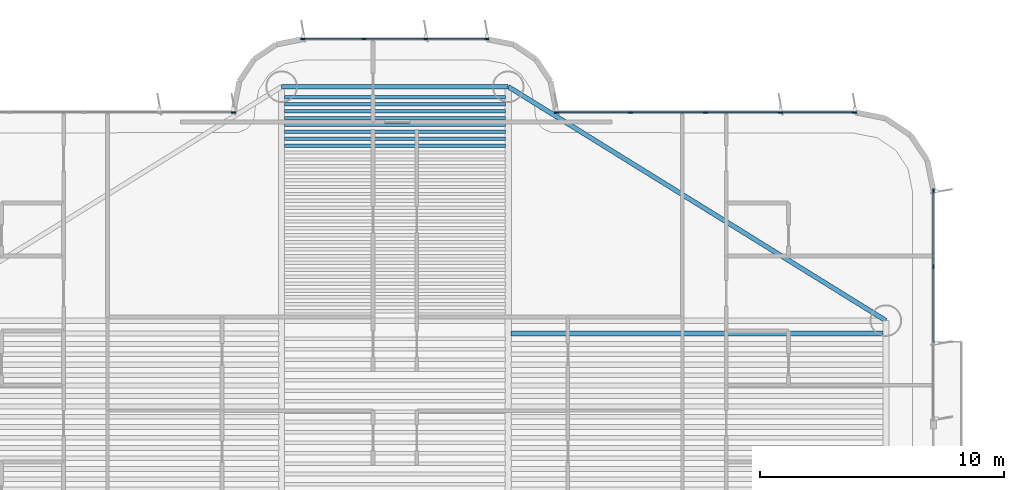
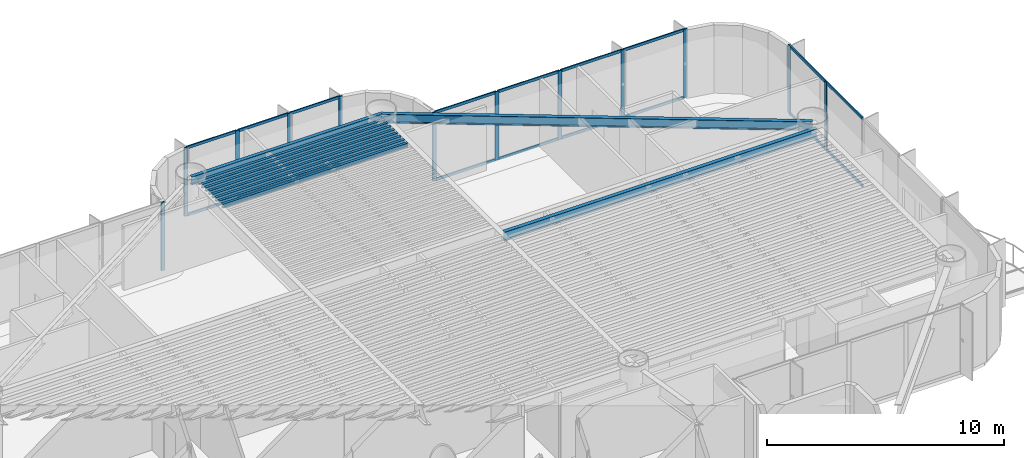
# One storey, part 7 of 17: 30 members, 11 beams, 4 elements without a shape of their own.
"""IFC4 building model written with IfcOpenShell, lengths in metres."""

from ifc_helpers import new_model, si_unit, direction, frame, origin, origin_2d, place, context, subcontext, project, spatial, rectangle, i_section, extrude, source, transform, mapped, material, layer, layer_set, material_profile, profile_set, type_object, element, aggregate, save


model = new_model("IFC4")

# Units and contexts
model_context = context("Model", 3, precision=1e-05, world=origin(), true_north=direction((0.0, 1.0)))
body_context = subcontext(model_context, "Body", "Model", "MODEL_VIEW")
ifc_project = project(units=[si_unit("LENGTHUNIT", "METRE"), si_unit("AREAUNIT", "SQUARE_METRE"), si_unit("VOLUMEUNIT", "CUBIC_METRE"), si_unit("PLANEANGLEUNIT", "RADIAN"), si_unit("MASSUNIT", "GRAM", prefix="KILO")], contexts=[model_context])

# Site, building, storey
site_placement = place(None, origin())
site = spatial("IfcSite", under=ifc_project, at=site_placement, CompositionType="ELEMENT")
building_placement = place(site_placement, origin())
building = spatial("IfcBuilding", under=site, at=building_placement, Name="Brelvock Crest Care Tower", CompositionType="ELEMENT")
storey_placement = place(building_placement, frame((0.0, 0.0, 127.6201171875)))
storey = spatial("IfcBuildingStorey", under=building, at=storey_placement, Name="L32", CompositionType="ELEMENT", Elevation=127.6201171875)

# Beams
ifc_material_1 = material(Name="Steel Grade 350", Category="steel")
ifc_material_profile_1 = material_profile(ifc_material_1, i_section(OverallWidth=0.177978515625, OverallDepth=0.406005859375, WebThickness=0.0078125, FlangeThickness=0.0126953125, FilletRadius=0.011474609375, at=origin_2d()), Name="410UB59.7")
ifc_profile_set_1 = profile_set([ifc_material_profile_1], Name="Steel Grade 350")
beam_type_1 = type_object("IfcBeamType", Name="BM-SP1", PredefinedType="SPANDREL", material=ifc_profile_set_1)
shared_shape_1 = source(origin(), body_context, "Body", "SweptSolid", [
    extrude(i_section(OverallWidth=0.177978515625, OverallDepth=0.406005859375, WebThickness=0.0078125, FlangeThickness=0.0126953125, FilletRadius=0.011474609375, at=origin_2d()), origin(), (0.0, 0.0, 1.0), 9.2998046875),
])
beam_1_placement = place(storey_placement, frame((31.35009765625, 48.449951171875, 3.326904296875), z_axis=(1.0, 0.0, 0.0), x_axis=(0.0, 1.0, 0.0)))
element("IfcBeam", 1, at=beam_1_placement, inside=storey, type_object=beam_type_1, Name="BM-TWR-L32-08", PredefinedType="SPANDREL", context=body_context, shape_type="MappedRepresentation", body=[
    mapped(shared_shape_1, transform((0.0, 0.0, 0.0), x_axis=(1.0, 0.0, 0.0), y_axis=(0.0, 1.0, 0.0), z_axis=(0.0, 0.0, 1.0), scale=1.0)),
])
ifc_material_profile_2 = material_profile(ifc_material_1, i_section(OverallWidth=0.134033203125, OverallDepth=0.20703125, WebThickness=0.00634765625, FlangeThickness=0.009521484375, FilletRadius=0.0087890625, at=origin_2d()), Name="200UB29.8")
ifc_profile_set_2 = profile_set([ifc_material_profile_2], Name="Steel Grade 350")
beam_type_2 = type_object("IfcBeamType", Name="BM-J4", PredefinedType="JOIST", material=ifc_profile_set_2)
shared_shape_2 = source(origin(), body_context, "Body", "SweptSolid", [
    extrude(i_section(OverallWidth=0.134033203125, OverallDepth=0.20703125, WebThickness=0.00634765625, FlangeThickness=0.009521484375, FilletRadius=0.0087890625, at=origin_2d()), origin(), (0.0, 0.0, 1.0), 9.06982421875),
])
for number, where, z_axis, x_axis, name in (
    (2, (31.465087890625, 46.03076171875, 3.42626953125), (1.0, 0.0, 0.0), (0.0, 1.0, 0.0), "BM-JN-L32-25"),
    (3, (31.465087890625, 46.31396484375, 3.42626953125), (1.0, 0.0, 0.0), (0.0, 1.0, 0.0), "BM-JN-L32-26"),
    (4, (31.465087890625, 46.59716796875, 3.42626953125), (1.0, 0.0, 0.0), (0.0, 1.0, 0.0), "BM-JN-L32-27"),
    (5, (31.465087890625, 46.88037109375, 3.42626953125), (1.0, 0.0, 0.0), (0.0, 1.0, 0.0), "BM-JN-L32-28"),
    (6, (31.465087890625, 47.16357421875, 3.42626953125), (1.0, 0.0, 0.0), (0.0, 1.0, 0.0), "BM-JN-L32-29"),
    (7, (31.465087890625, 47.44677734375, 3.42626953125), (1.0, 0.0, 0.0), (0.0, 1.0, 0.0), "BM-JN-L32-30"),
    (8, (31.465087890625, 47.72998046875, 3.42626953125), (1.0, 0.0, 0.0), (0.0, 1.0, 0.0), "BM-JN-L32-31"),
    (9, (31.465087890625, 48.01318359375, 3.42626953125), (1.0, 0.0, 0.0), (0.0, 1.0, 0.0), "BM-JN-L32-32"),
):
    element("IfcBeam", number, at=place(storey_placement, frame(where, z_axis=z_axis, x_axis=x_axis)), inside=storey, type_object=beam_type_2, Name=name, PredefinedType="JOIST", context=body_context, shape_type="MappedRepresentation", body=[
        mapped(shared_shape_2, transform((0.0, 0.0, 0.0), x_axis=(1.0, 0.0, 0.0), y_axis=(0.0, 1.0, 0.0), z_axis=(0.0, 0.0, 1.0), scale=1.0)),
    ])
ifc_material_profile_3 = material_profile(ifc_material_1, i_section(OverallWidth=0.19091796875, OverallDepth=0.4599609375, WebThickness=0.010009765625, FlangeThickness=0.01611328125, FilletRadius=0.011474609375, at=origin_2d()), Name="460UB82.1")
ifc_profile_set_3 = profile_set([ifc_material_profile_3], Name="Steel Grade 350")
beam_type_3 = type_object("IfcBeamType", Name="BM-G3", PredefinedType="BEAM", material=ifc_profile_set_3)
shared_shape_3 = source(origin(), body_context, "Body", "SweptSolid", [
    extrude(i_section(OverallWidth=0.19091796875, OverallDepth=0.4599609375, WebThickness=0.010009765625, FlangeThickness=0.01611328125, FilletRadius=0.011474609375, at=origin_2d()), origin(), (0.0, 0.0, 1.0), 15.27001953125),
])
beam_2_placement = place(storey_placement, frame((40.764892578125, 38.317626953125, 3.2998046875), z_axis=(1.0, 0.0, 0.0), x_axis=(0.0, 1.0, 0.0)))
element("IfcBeam", 10, at=beam_2_placement, inside=storey, type_object=beam_type_3, Name="BM-JE-L32-26", PredefinedType="BEAM", context=body_context, shape_type="MappedRepresentation", body=[
    mapped(shared_shape_3, transform((0.0, 0.0, 0.0), x_axis=(1.0, 0.0, 0.0), y_axis=(0.0, 1.0, 0.0), z_axis=(0.0, 0.0, 1.0), scale=1.0)),
])
ifc_material_profile_4 = material_profile(ifc_material_1, i_section(OverallWidth=0.19091796875, OverallDepth=0.4599609375, WebThickness=0.010009765625, FlangeThickness=0.01611328125, FilletRadius=0.011474609375, at=origin_2d()), Name="460UB82.1")
ifc_profile_set_4 = profile_set([ifc_material_profile_4], Name="Steel Grade 350")
beam_type_4 = type_object("IfcBeamType", Name="BM-SP2", PredefinedType="SPANDREL", material=ifc_profile_set_4)
shared_shape_4 = source(origin(), body_context, "Body", "SweptSolid", [
    extrude(i_section(OverallWidth=0.19091796875, OverallDepth=0.4599609375, WebThickness=0.010009765625, FlangeThickness=0.01611328125, FilletRadius=0.011474609375, at=origin_2d()), origin(), (0.0, 0.0, 1.0), 18.23193359375),
])
beam_3_placement = place(storey_placement, frame((40.64990234375, 48.449951171875, 3.2998046875), z_axis=(0.85015183248, -0.526537616635, 0.0), x_axis=(0.526537616635, 0.85015183248, 0.0)))
element("IfcBeam", 11, at=beam_3_placement, inside=storey, type_object=beam_type_4, Name="BM-TWR-L32-07", PredefinedType="SPANDREL", context=body_context, shape_type="MappedRepresentation", body=[
    mapped(shared_shape_4, transform((0.0, 0.0, 0.0), x_axis=(1.0, 0.0, 0.0), y_axis=(0.0, 1.0, 0.0), z_axis=(0.0, 0.0, 1.0), scale=1.0)),
])

# Curtain wall, members
ifc_material_2 = material(Name="Dark Glass Double Glazed Low-E", Category="glass")
ifc_layer = layer(ifc_material_2, 0.2099609375, Name="CWS-3")
ifc_layer_set = layer_set([ifc_layer], Name="Dark Glass Double Glazed Low-E")
curtain_wall_type = type_object("IfcCurtainWallType", Name="CWS-3", PredefinedType="NOTDEFINED", material=ifc_layer_set)
curtain_wall_1_placement = place(storey_placement, origin())
curtain_wall_1 = element("IfcCurtainWall", 12, at=curtain_wall_1_placement, inside=storey, type_object=curtain_wall_type, Name="L32 Curtain Wall E34", PredefinedType="NOTDEFINED")
ifc_material_3 = material(Name="Aluminium 6063-T6", Category="aluminium")
ifc_material_profile_5 = material_profile(ifc_material_3, rectangle(XDim=0.06005859375, YDim=0.139892578125, at=origin_2d()), Name="ALU60x140")
ifc_profile_set_5 = profile_set([ifc_material_profile_5], Name="Aluminium 6063-T6")
member_type_1 = type_object("IfcMemberType", Name="CWT-2", PredefinedType="USERDEFINED", material=ifc_profile_set_5)
shared_shape_5 = source(origin(), body_context, "Body", "SweptSolid", [
    extrude(rectangle(XDim=0.06005859375, YDim=0.139892578125, at=origin_2d()), origin(), (0.0, 0.0, 1.0), 2.985107421875),
])
member_1_placement = place(storey_placement, frame((42.659912109375, 47.39990234375, 0.02978515625), z_axis=(1.0, 0.0, 0.0), x_axis=(0.0, 1.0, 0.0)))
member_1 = element("IfcMember", 13, at=member_1_placement, type_object=member_type_1, Name="CW-3 transom 1.1", ObjectType="TRANSOM", PredefinedType="USERDEFINED", context=body_context, shape_type="MappedRepresentation", body=[
    mapped(shared_shape_5, transform((0.0, 0.0, 0.0), x_axis=(1.0, 0.0, 0.0), y_axis=(0.0, 1.0, 0.0), z_axis=(0.0, 0.0, 1.0), scale=1.0)),
])
member_2_placement = place(storey_placement, frame((42.659912109375, 47.39990234375, 3.5), z_axis=(1.0, 0.0, 0.0), x_axis=(0.0, 1.0, 0.0)))
member_2 = element("IfcMember", 14, at=member_2_placement, type_object=member_type_1, Name="CW-3 transom 1.2", ObjectType="TRANSOM", PredefinedType="USERDEFINED", context=body_context, shape_type="MappedRepresentation", body=[
    mapped(shared_shape_5, transform((0.0, 0.0, 0.0), x_axis=(1.0, 0.0, 0.0), y_axis=(0.0, 1.0, 0.0), z_axis=(0.0, 0.0, 1.0), scale=1.0)),
])
member_3_placement = place(storey_placement, frame((51.85498046875, 47.39990234375, 0.02978515625), z_axis=(1.0, 0.0, 0.0), x_axis=(0.0, 1.0, 0.0)))
member_3 = element("IfcMember", 15, at=member_3_placement, type_object=member_type_1, Name="CW-3 transom 4.1", ObjectType="TRANSOM", PredefinedType="USERDEFINED", context=body_context, shape_type="MappedRepresentation", body=[
    mapped(shared_shape_5, transform((0.0, 0.0, 0.0), x_axis=(1.0, 0.0, 0.0), y_axis=(0.0, 1.0, 0.0), z_axis=(0.0, 0.0, 1.0), scale=1.0)),
])
member_4_placement = place(storey_placement, frame((51.85498046875, 47.39990234375, 3.5), z_axis=(1.0, 0.0, 0.0), x_axis=(0.0, 1.0, 0.0)))
member_4 = element("IfcMember", 16, at=member_4_placement, type_object=member_type_1, Name="CW-3 transom 4.2", ObjectType="TRANSOM", PredefinedType="USERDEFINED", context=body_context, shape_type="MappedRepresentation", body=[
    mapped(shared_shape_5, transform((0.0, 0.0, 0.0), x_axis=(1.0, 0.0, 0.0), y_axis=(0.0, 1.0, 0.0), z_axis=(0.0, 0.0, 1.0), scale=1.0)),
])
shared_shape_6 = source(origin(), body_context, "Body", "SweptSolid", [
    extrude(rectangle(XDim=0.06005859375, YDim=0.139892578125, at=origin_2d()), origin(), (0.0, 0.0, 1.0), 3.014892578125),
])
member_5_placement = place(storey_placement, frame((45.705078125, 47.39990234375, 0.02978515625), z_axis=(1.0, 0.0, 0.0), x_axis=(0.0, 1.0, 0.0)))
member_5 = element("IfcMember", 17, at=member_5_placement, type_object=member_type_1, Name="CW-3 transom 2.1", ObjectType="TRANSOM", PredefinedType="USERDEFINED", context=body_context, shape_type="MappedRepresentation", body=[
    mapped(shared_shape_6, transform((0.0, 0.0, 0.0), x_axis=(1.0, 0.0, 0.0), y_axis=(0.0, 1.0, 0.0), z_axis=(0.0, 0.0, 1.0), scale=1.0)),
])
member_6_placement = place(storey_placement, frame((45.705078125, 47.39990234375, 3.5), z_axis=(1.0, 0.0, 0.0), x_axis=(0.0, 1.0, 0.0)))
member_6 = element("IfcMember", 18, at=member_6_placement, type_object=member_type_1, Name="CW-3 transom 2.2", ObjectType="TRANSOM", PredefinedType="USERDEFINED", context=body_context, shape_type="MappedRepresentation", body=[
    mapped(shared_shape_6, transform((0.0, 0.0, 0.0), x_axis=(1.0, 0.0, 0.0), y_axis=(0.0, 1.0, 0.0), z_axis=(0.0, 0.0, 1.0), scale=1.0)),
])
member_7_placement = place(storey_placement, frame((48.780029296875, 47.39990234375, 0.02978515625), z_axis=(1.0, 0.0, 0.0), x_axis=(0.0, 1.0, 0.0)))
member_7 = element("IfcMember", 19, at=member_7_placement, type_object=member_type_1, Name="CW-3 transom 3.1", ObjectType="TRANSOM", PredefinedType="USERDEFINED", context=body_context, shape_type="MappedRepresentation", body=[
    mapped(shared_shape_6, transform((0.0, 0.0, 0.0), x_axis=(1.0, 0.0, 0.0), y_axis=(0.0, 1.0, 0.0), z_axis=(0.0, 0.0, 1.0), scale=1.0)),
])
member_8_placement = place(storey_placement, frame((48.780029296875, 47.39990234375, 3.5), z_axis=(1.0, 0.0, 0.0), x_axis=(0.0, 1.0, 0.0)))
member_8 = element("IfcMember", 20, at=member_8_placement, type_object=member_type_1, Name="CW-3 transom 3.2", ObjectType="TRANSOM", PredefinedType="USERDEFINED", context=body_context, shape_type="MappedRepresentation", body=[
    mapped(shared_shape_6, transform((0.0, 0.0, 0.0), x_axis=(1.0, 0.0, 0.0), y_axis=(0.0, 1.0, 0.0), z_axis=(0.0, 0.0, 1.0), scale=1.0)),
])

curtain_wall_2_placement = place(storey_placement, origin())
curtain_wall_2 = element("IfcCurtainWall", 21, at=curtain_wall_2_placement, inside=storey, type_object=curtain_wall_type, Name="L32 Curtain Wall E28", PredefinedType="NOTDEFINED")
shared_shape_7 = source(origin(), body_context, "Body", "SweptSolid", [
    extrude(rectangle(XDim=0.06005859375, YDim=0.139892578125, at=origin_2d()), origin(), (0.0, 0.0, 1.0), 2.443359375),
])
member_9_placement = place(storey_placement, frame((32.260009765625, 50.39990234375, 0.02978515625), z_axis=(1.0, 0.0, 0.0), x_axis=(0.0, 1.0, 0.0)))
member_9 = element("IfcMember", 22, at=member_9_placement, type_object=member_type_1, Name="CW-3 transom 1.1", ObjectType="TRANSOM", PredefinedType="USERDEFINED", context=body_context, shape_type="MappedRepresentation", body=[
    mapped(shared_shape_7, transform((0.0, 0.0, 0.0), x_axis=(1.0, 0.0, 0.0), y_axis=(0.0, 1.0, 0.0), z_axis=(0.0, 0.0, 1.0), scale=1.0)),
])
member_10_placement = place(storey_placement, frame((32.260009765625, 50.39990234375, 3.5), z_axis=(1.0, 0.0, 0.0), x_axis=(0.0, 1.0, 0.0)))
member_10 = element("IfcMember", 23, at=member_10_placement, type_object=member_type_1, Name="CW-3 transom 1.2", ObjectType="TRANSOM", PredefinedType="USERDEFINED", context=body_context, shape_type="MappedRepresentation", body=[
    mapped(shared_shape_7, transform((0.0, 0.0, 0.0), x_axis=(1.0, 0.0, 0.0), y_axis=(0.0, 1.0, 0.0), z_axis=(0.0, 0.0, 1.0), scale=1.0)),
])
member_11_placement = place(storey_placement, frame((37.296630859375, 50.39990234375, 0.02978515625), z_axis=(1.0, 0.0, 0.0), x_axis=(0.0, 1.0, 0.0)))
member_11 = element("IfcMember", 24, at=member_11_placement, type_object=member_type_1, Name="CW-3 transom 3.1", ObjectType="TRANSOM", PredefinedType="USERDEFINED", context=body_context, shape_type="MappedRepresentation", body=[
    mapped(shared_shape_7, transform((0.0, 0.0, 0.0), x_axis=(1.0, 0.0, 0.0), y_axis=(0.0, 1.0, 0.0), z_axis=(0.0, 0.0, 1.0), scale=1.0)),
])
member_12_placement = place(storey_placement, frame((37.296630859375, 50.39990234375, 3.5), z_axis=(1.0, 0.0, 0.0), x_axis=(0.0, 1.0, 0.0)))
member_12 = element("IfcMember", 25, at=member_12_placement, type_object=member_type_1, Name="CW-3 transom 3.2", ObjectType="TRANSOM", PredefinedType="USERDEFINED", context=body_context, shape_type="MappedRepresentation", body=[
    mapped(shared_shape_7, transform((0.0, 0.0, 0.0), x_axis=(1.0, 0.0, 0.0), y_axis=(0.0, 1.0, 0.0), z_axis=(0.0, 0.0, 1.0), scale=1.0)),
])
shared_shape_8 = source(origin(), body_context, "Body", "SweptSolid", [
    extrude(rectangle(XDim=0.06005859375, YDim=0.139892578125, at=origin_2d()), origin(), (0.0, 0.0, 1.0), 2.47314453125),
])
member_13_placement = place(storey_placement, frame((34.763427734375, 50.39990234375, 0.02978515625), z_axis=(1.0, 0.0, 0.0), x_axis=(0.0, 1.0, 0.0)))
member_13 = element("IfcMember", 26, at=member_13_placement, type_object=member_type_1, Name="CW-3 transom 2.1", ObjectType="TRANSOM", PredefinedType="USERDEFINED", context=body_context, shape_type="MappedRepresentation", body=[
    mapped(shared_shape_8, transform((0.0, 0.0, 0.0), x_axis=(1.0, 0.0, 0.0), y_axis=(0.0, 1.0, 0.0), z_axis=(0.0, 0.0, 1.0), scale=1.0)),
])
member_14_placement = place(storey_placement, frame((34.763427734375, 50.39990234375, 3.5), z_axis=(1.0, 0.0, 0.0), x_axis=(0.0, 1.0, 0.0)))
member_14 = element("IfcMember", 27, at=member_14_placement, type_object=member_type_1, Name="CW-3 transom 2.2", ObjectType="TRANSOM", PredefinedType="USERDEFINED", context=body_context, shape_type="MappedRepresentation", body=[
    mapped(shared_shape_8, transform((0.0, 0.0, 0.0), x_axis=(1.0, 0.0, 0.0), y_axis=(0.0, 1.0, 0.0), z_axis=(0.0, 0.0, 1.0), scale=1.0)),
])

# Curtain wall, member
curtain_wall_3_placement = place(storey_placement, origin())
curtain_wall_3 = element("IfcCurtainWall", 28, at=curtain_wall_3_placement, inside=storey, type_object=curtain_wall_type, Name="L32 Curtain Wall E22", PredefinedType="NOTDEFINED")
ifc_material_profile_6 = material_profile(ifc_material_3, rectangle(XDim=0.06005859375, YDim=0.179931640625, at=origin_2d()), Name="ALU60x180")
ifc_profile_set_6 = profile_set([ifc_material_profile_6], Name="Aluminium 6063-T6")
member_type_2 = type_object("IfcMemberType", Name="CWM-2", PredefinedType="MULLION", material=ifc_profile_set_6)
shared_shape_9 = source(origin(), body_context, "Body", "SweptSolid", [
    extrude(rectangle(XDim=0.06005859375, YDim=0.179931640625, at=origin_2d()), origin(), (0.0, 0.0, 1.0), 3.52978515625),
])
member_15_placement = place(storey_placement, frame((29.3701171875, 47.39990234375, 0.0), z_axis=(0.0, 0.0, 1.0), x_axis=(0.0, 1.0, 0.0)))
member_15 = element("IfcMember", 29, at=member_15_placement, type_object=member_type_2, Name="CW-3 mullion 5", PredefinedType="MULLION", context=body_context, shape_type="MappedRepresentation", body=[
    mapped(shared_shape_9, transform((0.0, 0.0, 0.0), x_axis=(1.0, 0.0, 0.0), y_axis=(0.0, 1.0, 0.0), z_axis=(0.0, 0.0, 1.0), scale=1.0)),
])
aggregate(curtain_wall_3, [member_15])

# Member
member_16_placement = place(storey_placement, frame((32.22998046875, 50.39990234375, 0.0), z_axis=(0.0, 0.0, 1.0), x_axis=(0.0, 1.0, 0.0)))
member_16 = element("IfcMember", 30, at=member_16_placement, type_object=member_type_2, Name="CW-3 mullion 1", PredefinedType="MULLION", context=body_context, shape_type="MappedRepresentation", body=[
    mapped(shared_shape_9, transform((0.0, 0.0, 0.0), x_axis=(1.0, 0.0, 0.0), y_axis=(0.0, 1.0, 0.0), z_axis=(0.0, 0.0, 1.0), scale=1.0)),
])

member_17_placement = place(storey_placement, frame((34.7333984375, 50.39990234375, 0.0), z_axis=(0.0, 0.0, 1.0), x_axis=(0.0, 1.0, 0.0)))
member_17 = element("IfcMember", 31, at=member_17_placement, type_object=member_type_2, Name="CW-3 mullion 2", PredefinedType="MULLION", context=body_context, shape_type="MappedRepresentation", body=[
    mapped(shared_shape_9, transform((0.0, 0.0, 0.0), x_axis=(1.0, 0.0, 0.0), y_axis=(0.0, 1.0, 0.0), z_axis=(0.0, 0.0, 1.0), scale=1.0)),
])

member_18_placement = place(storey_placement, frame((37.2666015625, 50.39990234375, 0.0), z_axis=(0.0, 0.0, 1.0), x_axis=(0.0, 1.0, 0.0)))
member_18 = element("IfcMember", 32, at=member_18_placement, type_object=member_type_2, Name="CW-3 mullion 3", PredefinedType="MULLION", context=body_context, shape_type="MappedRepresentation", body=[
    mapped(shared_shape_9, transform((0.0, 0.0, 0.0), x_axis=(1.0, 0.0, 0.0), y_axis=(0.0, 1.0, 0.0), z_axis=(0.0, 0.0, 1.0), scale=1.0)),
])

member_19_placement = place(storey_placement, frame((39.77001953125, 50.39990234375, 0.0), z_axis=(0.0, 0.0, 1.0), x_axis=(0.0, 1.0, 0.0)))
member_19 = element("IfcMember", 33, at=member_19_placement, type_object=member_type_2, Name="CW-3 mullion 4", PredefinedType="MULLION", context=body_context, shape_type="MappedRepresentation", body=[
    mapped(shared_shape_9, transform((0.0, 0.0, 0.0), x_axis=(1.0, 0.0, 0.0), y_axis=(0.0, 1.0, 0.0), z_axis=(0.0, 0.0, 1.0), scale=1.0)),
])

aggregate(curtain_wall_2, [member_16, member_17, member_18, member_19, member_9, member_10, member_13, member_14, member_11, member_12])

member_20_placement = place(storey_placement, frame((42.6298828125, 47.39990234375, 0.0), z_axis=(0.0, 0.0, 1.0), x_axis=(0.0, 1.0, 0.0)))
member_20 = element("IfcMember", 34, at=member_20_placement, type_object=member_type_2, Name="CW-3 mullion 1", PredefinedType="MULLION", context=body_context, shape_type="MappedRepresentation", body=[
    mapped(shared_shape_9, transform((0.0, 0.0, 0.0), x_axis=(1.0, 0.0, 0.0), y_axis=(0.0, 1.0, 0.0), z_axis=(0.0, 0.0, 1.0), scale=1.0)),
])

member_21_placement = place(storey_placement, frame((45.675048828125, 47.39990234375, 0.0), z_axis=(0.0, 0.0, 1.0), x_axis=(0.0, 1.0, 0.0)))
member_21 = element("IfcMember", 35, at=member_21_placement, type_object=member_type_2, Name="CW-3 mullion 2", PredefinedType="MULLION", context=body_context, shape_type="MappedRepresentation", body=[
    mapped(shared_shape_9, transform((0.0, 0.0, 0.0), x_axis=(1.0, 0.0, 0.0), y_axis=(0.0, 1.0, 0.0), z_axis=(0.0, 0.0, 1.0), scale=1.0)),
])

member_22_placement = place(storey_placement, frame((48.75, 47.39990234375, 0.0), z_axis=(0.0, 0.0, 1.0), x_axis=(0.0, 1.0, 0.0)))
member_22 = element("IfcMember", 36, at=member_22_placement, type_object=member_type_2, Name="CW-3 mullion 3", PredefinedType="MULLION", context=body_context, shape_type="MappedRepresentation", body=[
    mapped(shared_shape_9, transform((0.0, 0.0, 0.0), x_axis=(1.0, 0.0, 0.0), y_axis=(0.0, 1.0, 0.0), z_axis=(0.0, 0.0, 1.0), scale=1.0)),
])

member_23_placement = place(storey_placement, frame((51.824951171875, 47.39990234375, 0.0), z_axis=(0.0, 0.0, 1.0), x_axis=(0.0, 1.0, 0.0)))
member_23 = element("IfcMember", 37, at=member_23_placement, type_object=member_type_2, Name="CW-3 mullion 4", PredefinedType="MULLION", context=body_context, shape_type="MappedRepresentation", body=[
    mapped(shared_shape_9, transform((0.0, 0.0, 0.0), x_axis=(1.0, 0.0, 0.0), y_axis=(0.0, 1.0, 0.0), z_axis=(0.0, 0.0, 1.0), scale=1.0)),
])

member_24_placement = place(storey_placement, frame((54.8701171875, 47.39990234375, 0.0), z_axis=(0.0, 0.0, 1.0), x_axis=(0.0, 1.0, 0.0)))
member_24 = element("IfcMember", 38, at=member_24_placement, type_object=member_type_2, Name="CW-3 mullion 5", PredefinedType="MULLION", context=body_context, shape_type="MappedRepresentation", body=[
    mapped(shared_shape_9, transform((0.0, 0.0, 0.0), x_axis=(1.0, 0.0, 0.0), y_axis=(0.0, 1.0, 0.0), z_axis=(0.0, 0.0, 1.0), scale=1.0)),
])

aggregate(curtain_wall_1, [member_20, member_21, member_22, member_23, member_24, member_1, member_2, member_5, member_6, member_7, member_8, member_3, member_4])

# Curtain wall, members
curtain_wall_4_placement = place(storey_placement, origin())
curtain_wall_4 = element("IfcCurtainWall", 39, at=curtain_wall_4_placement, inside=storey, type_object=curtain_wall_type, Name="L32 Curtain Wall E39A", PredefinedType="NOTDEFINED")
member_25_placement = place(storey_placement, frame((58.10009765625, 44.169921875, 0.0), z_axis=(0.0, 0.0, 1.0), x_axis=(1.0, 0.0, 0.0)))
member_25 = element("IfcMember", 40, at=member_25_placement, type_object=member_type_2, Name="CW-3 mullion 1", PredefinedType="MULLION", context=body_context, shape_type="MappedRepresentation", body=[
    mapped(shared_shape_9, transform((0.0, 0.0, 0.0), x_axis=(1.0, 0.0, 0.0), y_axis=(0.0, 1.0, 0.0), z_axis=(0.0, 0.0, 1.0), scale=1.0)),
])
member_26_placement = place(storey_placement, frame((58.10009765625, 41.066650390625, 0.0), z_axis=(0.0, 0.0, 1.0), x_axis=(1.0, 0.0, 0.0)))
member_26 = element("IfcMember", 41, at=member_26_placement, type_object=member_type_2, Name="CW-3 mullion 2", PredefinedType="MULLION", context=body_context, shape_type="MappedRepresentation", body=[
    mapped(shared_shape_9, transform((0.0, 0.0, 0.0), x_axis=(1.0, 0.0, 0.0), y_axis=(0.0, 1.0, 0.0), z_axis=(0.0, 0.0, 1.0), scale=1.0)),
])
shared_shape_10 = source(origin(), body_context, "Body", "SweptSolid", [
    extrude(rectangle(XDim=0.06005859375, YDim=0.139892578125, at=origin_2d()), origin(), (0.0, 0.0, 1.0), 3.043212890625),
])
member_27_placement = place(storey_placement, frame((58.10009765625, 44.139892578125, 0.02978515625), z_axis=(0.0, -1.0, 0.0), x_axis=(1.0, 0.0, 0.0)))
member_27 = element("IfcMember", 42, at=member_27_placement, type_object=member_type_1, Name="CW-3 transom 1.1", ObjectType="TRANSOM", PredefinedType="USERDEFINED", context=body_context, shape_type="MappedRepresentation", body=[
    mapped(shared_shape_10, transform((0.0, 0.0, 0.0), x_axis=(1.0, 0.0, 0.0), y_axis=(0.0, 1.0, 0.0), z_axis=(0.0, 0.0, 1.0), scale=1.0)),
])
member_28_placement = place(storey_placement, frame((58.10009765625, 44.139892578125, 3.5), z_axis=(0.0, -1.0, 0.0), x_axis=(1.0, 0.0, 0.0)))
member_28 = element("IfcMember", 43, at=member_28_placement, type_object=member_type_1, Name="CW-3 transom 1.2", ObjectType="TRANSOM", PredefinedType="USERDEFINED", context=body_context, shape_type="MappedRepresentation", body=[
    mapped(shared_shape_10, transform((0.0, 0.0, 0.0), x_axis=(1.0, 0.0, 0.0), y_axis=(0.0, 1.0, 0.0), z_axis=(0.0, 0.0, 1.0), scale=1.0)),
])
shared_shape_11 = source(origin(), body_context, "Body", "SweptSolid", [
    extrude(rectangle(XDim=0.06005859375, YDim=0.139892578125, at=origin_2d()), origin(), (0.0, 0.0, 1.0), 3.0732421875),
])
member_29_placement = place(storey_placement, frame((58.10009765625, 41.03662109375, 0.02978515625), z_axis=(0.0, -1.0, 0.0), x_axis=(1.0, 0.0, 0.0)))
member_29 = element("IfcMember", 44, at=member_29_placement, type_object=member_type_1, Name="CW-3 transom 2.1", ObjectType="TRANSOM", PredefinedType="USERDEFINED", context=body_context, shape_type="MappedRepresentation", body=[
    mapped(shared_shape_11, transform((0.0, 0.0, 0.0), x_axis=(1.0, 0.0, 0.0), y_axis=(0.0, 1.0, 0.0), z_axis=(0.0, 0.0, 1.0), scale=1.0)),
])
member_30_placement = place(storey_placement, frame((58.10009765625, 41.03662109375, 3.5), z_axis=(0.0, -1.0, 0.0), x_axis=(1.0, 0.0, 0.0)))
member_30 = element("IfcMember", 45, at=member_30_placement, type_object=member_type_1, Name="CW-3 transom 2.2", ObjectType="TRANSOM", PredefinedType="USERDEFINED", context=body_context, shape_type="MappedRepresentation", body=[
    mapped(shared_shape_11, transform((0.0, 0.0, 0.0), x_axis=(1.0, 0.0, 0.0), y_axis=(0.0, 1.0, 0.0), z_axis=(0.0, 0.0, 1.0), scale=1.0)),
])
aggregate(curtain_wall_4, [member_25, member_26, member_27, member_28, member_29, member_30])

save(model, "model.ifc")
